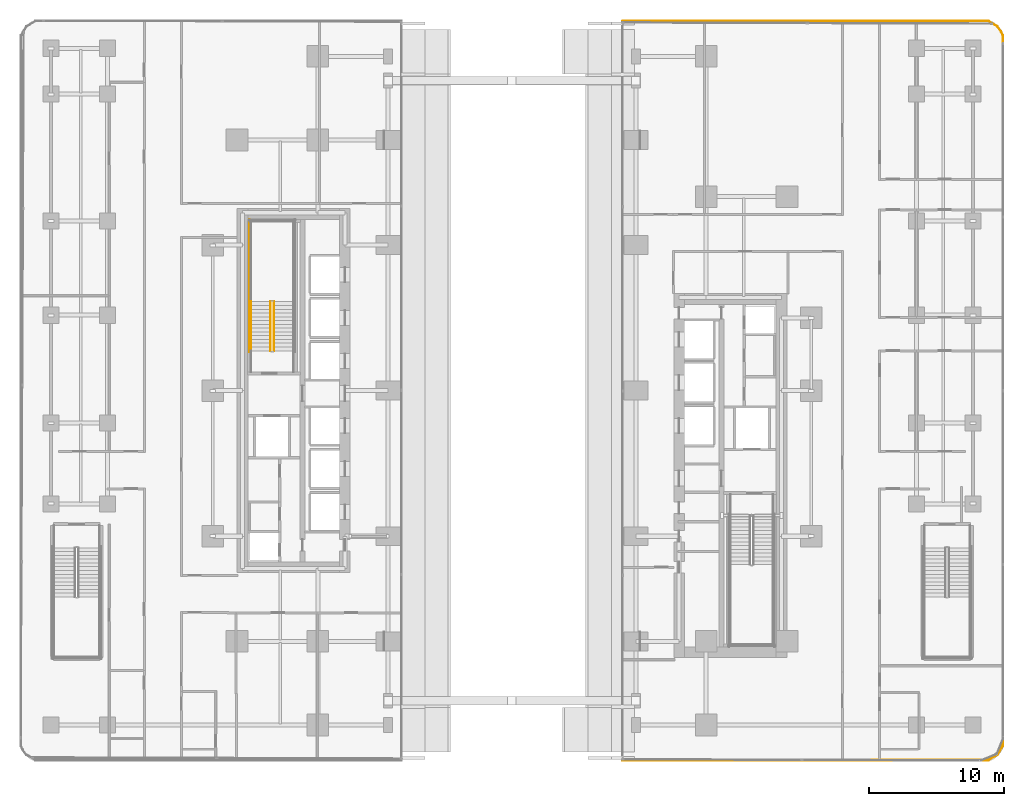
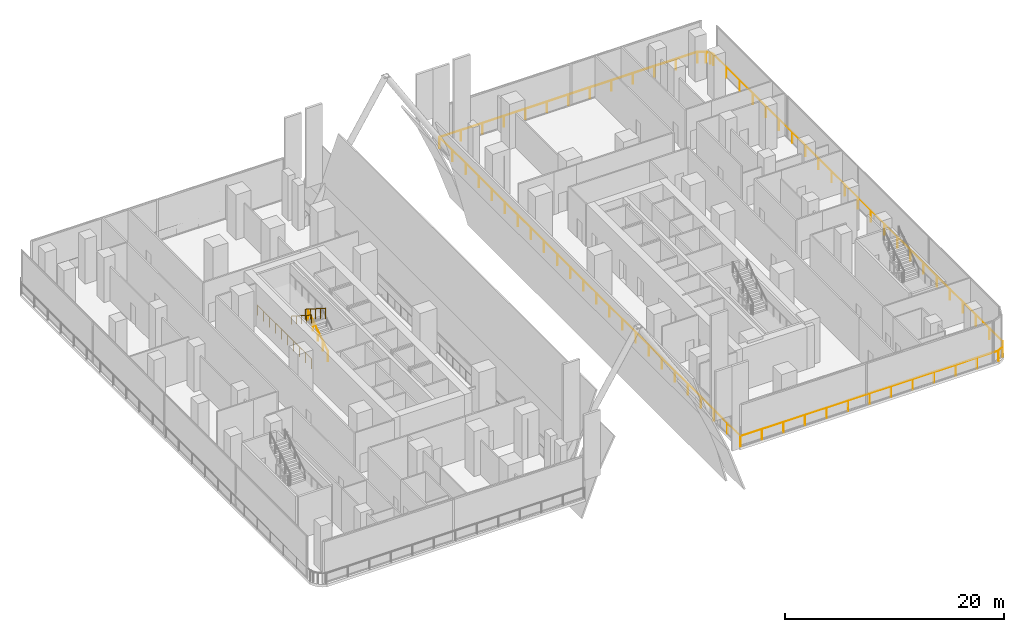
# One storey, part 28 of 31: 6 railings.
"""IFC4 building model written with IfcOpenShell, lengths in metres."""

import ifcopenshell
import ifcopenshell.guid

model = None  # the IFC model being written
_history = None  # IfcOwnerHistory: only IFC2X3 demands one
_inside = {}  # id of a spatial element -> (the spatial element, [elements in it])
_under = {}  # id of a project, library or spatial element -> (it, [spatial elements below it])
_declared = {}  # id of a project -> (the project, [libraries it declares])
_typed = {}  # id of a type object -> (the type object, [elements of that type])
_made_of = {}  # id of a material, layer set ... -> (it, [elements and type objects made of it])


def new_model(schema):
    """Start an empty IFC model of exactly this schema.

    Asked for "IFC4X3", IfcOpenShell would pick the latest addendum, in which some entities
    have other attributes; the version numbers below select the first issue.
    IFC2X3 requires an IfcOwnerHistory on every rooted entity: one is made here for all.
    """
    global model, _history
    if schema == "IFC4X3":
        model = ifcopenshell.file(schema_version=(4, 3, 0, 0))
    else:
        model = ifcopenshell.file(schema=schema)
    _inside.clear()
    _under.clear()
    _declared.clear()
    _typed.clear()
    _made_of.clear()
    _history = None
    if model.schema == "IFC2X3":
        org = make("IfcOrganization", Name="unknown")
        user = make(
            "IfcPersonAndOrganization",
            ThePerson=make("IfcPerson", FamilyName="unknown"),
            TheOrganization=org,
        )
        app = make(
            "IfcApplication",
            ApplicationDeveloper=org,
            Version="unknown",
            ApplicationFullName="unknown",
            ApplicationIdentifier="unknown",
        )
        _history = make(
            "IfcOwnerHistory",
            OwningUser=user,
            OwningApplication=app,
            ChangeAction="ADDED",
            CreationDate=0,
        )
    return model


def make(cls, **values):
    """One entity of the class cls with the attributes given. An attribute that is None is left unset."""
    return model.create_entity(
        cls, **{name: value for name, value in values.items() if value is not None}
    )


def rooted(cls, **values):
    """An entity with a GlobalId (a new one), such as an element, a storey or a relation."""
    return make(cls, GlobalId=ifcopenshell.guid.new(), OwnerHistory=_history, **values)


def si_unit(unit_type, name, prefix=None):
    """IfcSIUnit, for example si_unit("LENGTHUNIT", "METRE", prefix="MILLI")."""
    return make("IfcSIUnit", UnitType=unit_type, Prefix=prefix, Name=name)


def assignment(units):
    """IfcUnitAssignment: the units of a project."""
    return None if units is None else make("IfcUnitAssignment", Units=units)


def point(xyz):
    """IfcCartesianPoint."""
    return None if xyz is None else make("IfcCartesianPoint", Coordinates=xyz)


def direction(xyz):
    """IfcDirection."""
    return None if xyz is None else make("IfcDirection", DirectionRatios=xyz)


def frame(location, z_axis=None, x_axis=None):
    """IfcAxis2Placement3D, a coordinate frame: its origin and axes. An axis left out is left unset."""
    return make(
        "IfcAxis2Placement3D",
        Location=point(location),
        Axis=direction(z_axis),
        RefDirection=direction(x_axis),
    )


def frame_2d(location, x_axis=None):
    """IfcAxis2Placement2D, a coordinate frame in the plane: its origin and x axis."""
    return make(
        "IfcAxis2Placement2D", Location=point(location), RefDirection=direction(x_axis)
    )


def origin():
    """The frame at (0, 0, 0) with its axes left unset."""
    return frame((0.0, 0.0, 0.0))


def origin_2d():
    """The frame at (0, 0) in the plane with its x axis left unset."""
    return frame_2d((0.0, 0.0))


def place(relative_to, where):
    """IfcLocalPlacement: puts the frame where relative to a parent placement (None: the world)."""
    return make(
        "IfcLocalPlacement", PlacementRelTo=relative_to, RelativePlacement=where
    )


def context(
    kind, dimensions, precision=None, world=None, true_north=None, identifier=None
):
    """IfcGeometricRepresentationContext, for example the 3D "Model" context."""
    return make(
        "IfcGeometricRepresentationContext",
        ContextIdentifier=identifier,
        ContextType=kind,
        CoordinateSpaceDimension=dimensions,
        Precision=precision,
        WorldCoordinateSystem=world,
        TrueNorth=true_north,
    )


def subcontext(parent, identifier, kind, view, scale=None):
    """IfcGeometricRepresentationSubContext, for example "Body" below "Model"."""
    return make(
        "IfcGeometricRepresentationSubContext",
        ContextIdentifier=identifier,
        ContextType=kind,
        ParentContext=parent,
        TargetScale=scale,
        TargetView=view,
    )


def project(units=None, contexts=None):
    """IfcProject with its units and contexts."""
    return rooted(
        "IfcProject",
        Name="project",
        RepresentationContexts=contexts,
        UnitsInContext=assignment(units),
    )


def spatial(cls, under=None, at=None, **own):
    """A site, building, storey or space (cls), placed at a placement, below another one or the project."""
    s = rooted(cls, ObjectPlacement=at, **own)
    if under is not None:
        _under.setdefault(under.id(), (under, []))[1].append(s)
    return s


def profile(cls, at=None, kind="AREA", **sizes):
    """A parametric profile (cls). Its sizes go by their IFC names, for example OverallWidth=200.0."""
    return make(cls, ProfileType=kind, Position=at, **sizes)


def circle(**sizes):
    """IfcCircleProfileDef."""
    return profile("IfcCircleProfileDef", **sizes)


def extrude(swept, where, along, depth):
    """IfcExtrudedAreaSolid: the profile swept, set in the frame where, extruded along a direction by depth."""
    return make(
        "IfcExtrudedAreaSolid",
        SweptArea=swept,
        Position=where,
        ExtrudedDirection=direction(along),
        Depth=depth,
    )


def shape(context_of_items, identifier, shape_type, items):
    """IfcShapeRepresentation: the items that make up one representation, for example the "Body"."""
    return make(
        "IfcShapeRepresentation",
        ContextOfItems=context_of_items,
        RepresentationIdentifier=identifier,
        RepresentationType=shape_type,
        Items=items,
    )


def material(Name=None, Category=None):
    """IfcMaterial."""
    return make("IfcMaterial", Name=Name, Category=Category)


def made_of(thing, what):
    """Note that an element or type object is made of a material, layer set ...; save() writes the relation."""
    if what is not None:
        _made_of.setdefault(what.id(), (what, []))[1].append(thing)
    return thing


def type_object(cls, material=None, **own):
    """A type object (cls), such as IfcWallType, which elements share."""
    return made_of(rooted(cls, **own), material)


def element(
    cls,
    number,
    at=None,
    inside=None,
    cuts=None,
    type_object=None,
    material=None,
    context=None,
    identifier="Body",
    shape_type=None,
    held_by="IfcProductDefinitionShape",
    body=None,
    shapes=None,
    **own,
):
    """One element of the class cls, such as IfcWall. Its Tag is "e" and its number.

    at: its placement. inside: the storey or other place that contains it. cuts: it is an
    opening in that element (IfcRelVoidsElement). A single representation is given by context,
    identifier, shape_type and body (its items); several are given by shapes. held_by: the class
    of the entity that holds the representations. save() writes the other relations.
    """
    e = rooted(cls, Tag="e%d" % number, ObjectPlacement=at, **own)
    if body is not None:
        shapes = [shape(context, identifier, shape_type, body)]
    if shapes is not None:
        e.Representation = make(held_by, Representations=shapes)
    if inside is not None:
        _inside.setdefault(inside.id(), (inside, []))[1].append(e)
    if cuts is not None:
        rooted(
            "IfcRelVoidsElement", RelatingBuildingElement=cuts, RelatedOpeningElement=e
        )
    if type_object is not None:
        _typed.setdefault(type_object.id(), (type_object, []))[1].append(e)
    return made_of(e, material)


def aggregate(whole, parts):
    """IfcRelAggregates: a whole, such as a stair, and the parts it consists of."""
    return rooted("IfcRelAggregates", RelatingObject=whole, RelatedObjects=parts)


def save(model, path):
    """Write the relations noted so far, then the file.

    IfcRelAggregates (storeys below a building ...), IfcRelContainedInSpatialStructure (elements
    in a storey), IfcRelDefinesByType, IfcRelAssociatesMaterial and IfcRelDeclares: one each for
    every whole, place, type object, material and project.
    """
    for whole, parts in _under.values():
        aggregate(whole, parts)
    for where, things in _inside.values():
        rooted(
            "IfcRelContainedInSpatialStructure",
            RelatedElements=things,
            RelatingStructure=where,
        )
    for kind, things in _typed.values():
        rooted("IfcRelDefinesByType", RelatedObjects=things, RelatingType=kind)
    for what, things in _made_of.values():
        rooted("IfcRelAssociatesMaterial", RelatedObjects=things, RelatingMaterial=what)
    for by, libraries in _declared.values():
        rooted("IfcRelDeclares", RelatingContext=by, RelatedDefinitions=libraries)
    model.write(path)


model = new_model("IFC4")

# Units and contexts
model_context = context("Model", 3, precision=1e-05, world=origin(), true_north=direction((0.0, 1.0)))
body_context = subcontext(model_context, "Body", "Model", "MODEL_VIEW")
ifc_project = project(units=[si_unit("LENGTHUNIT", "METRE"), si_unit("AREAUNIT", "SQUARE_METRE"), si_unit("VOLUMEUNIT", "CUBIC_METRE"), si_unit("PLANEANGLEUNIT", "RADIAN"), si_unit("MASSUNIT", "GRAM", prefix="KILO")], contexts=[model_context])

# Site, building, storey
site_placement = place(None, origin())
site = spatial("IfcSite", under=ifc_project, at=site_placement, CompositionType="ELEMENT")
building_placement = place(site_placement, origin())
building = spatial("IfcBuilding", under=site, at=building_placement, Name="Khairoan Windgate Tower", CompositionType="ELEMENT")
storey_placement = place(building_placement, frame((0.0, 0.0, 6.0)))
storey = spatial("IfcBuildingStorey", under=building, at=storey_placement, Name="L02", CompositionType="ELEMENT", Elevation=6.0)

# Railings
ifc_material_1 = material(Name="Anodised Bronze Aluminium 6063-T6", Category="aluminium")
railing_type_1 = type_object("IfcRailingType", Name="Aerodynamic Bronze-and-Glass Balustrade BAL-1200", PredefinedType="BALUSTRADE", material=ifc_material_1)
railing_1_placement = place(storey_placement, frame((36.406982421875, -26.36474609375, 0.0)))
element("IfcRailing", 1, at=railing_1_placement, inside=storey, type_object=railing_type_1, Name="L02 E Wing Perimeter Edge Guardrail (1)", PredefinedType="BALUSTRADE", context=body_context, shape_type="SweptSolid", body=[
    extrude(circle(Radius=0.02392578125, at=origin_2d()), frame((0.0, 0.0, 1.17578125), z_axis=(-0.515299177597, -0.857010360245, 0.0), x_axis=(0.857010360245, -0.515299177597, 0.0)), (0.0, 0.0, 1.0), 0.759521484375),
    extrude(circle(Radius=0.02392578125, at=origin_2d()), frame((-0.391357421875, -0.65087890625, 1.17578125), z_axis=(-0.856915629106, -0.515456695169, 0.0), x_axis=(0.515456695169, -0.856915629106, 0.0)), (0.0, 0.0, 1.0), 0.784423828125),
    extrude(circle(Radius=0.02392578125, at=origin_2d()), frame((-1.0634765625, -1.05517578125, 1.17578125), z_axis=(-1.0, 0.0, 0.0), x_axis=(0.0, -1.0, 0.0)), (0.0, 0.0, 1.0), 27.1435546875),
    extrude(circle(Radius=0.02392578125, at=origin_2d()), frame((-28.20703125, -1.05517578125, 1.17578125), z_axis=(0.0, 1.0, 0.0), x_axis=(-1.0, 0.0, 0.0)), (0.0, 0.0, 1.0), 54.81494140625),
    extrude(circle(Radius=0.02099609375, at=origin_2d()), origin(), (0.0, 0.0, 1.0), 1.15185546875),
    extrude(circle(Radius=0.02099609375, at=origin_2d()), frame((-0.391357421875, -0.65087890625, 0.0)), (0.0, 0.0, 1.0), 1.15185546875),
    extrude(circle(Radius=0.02099609375, at=origin_2d()), frame((-1.0634765625, -1.05517578125, 0.0)), (0.0, 0.0, 1.0), 1.15185546875),
    extrude(circle(Radius=0.02099609375, at=origin_2d()), frame((-3.325439453125, -1.05517578125, 0.0)), (0.0, 0.0, 1.0), 1.15185546875),
    extrude(circle(Radius=0.02099609375, at=origin_2d()), frame((-5.58740234375, -1.05517578125, 0.0)), (0.0, 0.0, 1.0), 1.15185546875),
    extrude(circle(Radius=0.02099609375, at=origin_2d()), frame((-7.849365234375, -1.05517578125, 0.0)), (0.0, 0.0, 1.0), 1.15185546875),
    extrude(circle(Radius=0.02099609375, at=origin_2d()), frame((-10.111328125, -1.05517578125, 0.0)), (0.0, 0.0, 1.0), 1.15185546875),
    extrude(circle(Radius=0.02099609375, at=origin_2d()), frame((-12.373291015625, -1.05517578125, 0.0)), (0.0, 0.0, 1.0), 1.15185546875),
    extrude(circle(Radius=0.02099609375, at=origin_2d()), frame((-14.63525390625, -1.05517578125, 0.0)), (0.0, 0.0, 1.0), 1.15185546875),
    extrude(circle(Radius=0.02099609375, at=origin_2d()), frame((-16.897216796875, -1.05517578125, 0.0)), (0.0, 0.0, 1.0), 1.15185546875),
    extrude(circle(Radius=0.02099609375, at=origin_2d()), frame((-19.1591796875, -1.05517578125, 0.0)), (0.0, 0.0, 1.0), 1.15185546875),
    extrude(circle(Radius=0.02099609375, at=origin_2d()), frame((-21.421142578125, -1.05517578125, 0.0)), (0.0, 0.0, 1.0), 1.15185546875),
    extrude(circle(Radius=0.02099609375, at=origin_2d()), frame((-23.68310546875, -1.05517578125, 0.0)), (0.0, 0.0, 1.0), 1.15185546875),
    extrude(circle(Radius=0.02099609375, at=origin_2d()), frame((-25.945068359375, -1.05517578125, 0.0)), (0.0, 0.0, 1.0), 1.15185546875),
    extrude(circle(Radius=0.02099609375, at=origin_2d()), frame((-28.20703125, -1.05517578125, 0.0)), (0.0, 0.0, 1.0), 1.15185546875),
    extrude(circle(Radius=0.02099609375, at=origin_2d()), frame((-28.20703125, 1.328125, 0.0)), (0.0, 0.0, 1.0), 1.15185546875),
    extrude(circle(Radius=0.02099609375, at=origin_2d()), frame((-28.20703125, 3.71142578125, 0.0)), (0.0, 0.0, 1.0), 1.15185546875),
    extrude(circle(Radius=0.02099609375, at=origin_2d()), frame((-28.20703125, 6.094482421875, 0.0)), (0.0, 0.0, 1.0), 1.15185546875),
    extrude(circle(Radius=0.02099609375, at=origin_2d()), frame((-28.20703125, 8.477783203125, 0.0)), (0.0, 0.0, 1.0), 1.15185546875),
    extrude(circle(Radius=0.02099609375, at=origin_2d()), frame((-28.20703125, 10.861083984375, 0.0)), (0.0, 0.0, 1.0), 1.15185546875),
    extrude(circle(Radius=0.02099609375, at=origin_2d()), frame((-28.20703125, 13.244384765625, 0.0)), (0.0, 0.0, 1.0), 1.15185546875),
    extrude(circle(Radius=0.02099609375, at=origin_2d()), frame((-28.20703125, 15.627685546875, 0.0)), (0.0, 0.0, 1.0), 1.15185546875),
    extrude(circle(Radius=0.02099609375, at=origin_2d()), frame((-28.20703125, 18.010986328125, 0.0)), (0.0, 0.0, 1.0), 1.15185546875),
    extrude(circle(Radius=0.02099609375, at=origin_2d()), frame((-28.20703125, 20.39404296875, 0.0)), (0.0, 0.0, 1.0), 1.15185546875),
    extrude(circle(Radius=0.02099609375, at=origin_2d()), frame((-28.20703125, 22.77734375, 0.0)), (0.0, 0.0, 1.0), 1.15185546875),
    extrude(circle(Radius=0.02099609375, at=origin_2d()), frame((-28.20703125, 25.16064453125, 0.0)), (0.0, 0.0, 1.0), 1.15185546875),
    extrude(circle(Radius=0.02099609375, at=origin_2d()), frame((-28.20703125, 27.5439453125, 0.0)), (0.0, 0.0, 1.0), 1.15185546875),
    extrude(circle(Radius=0.02099609375, at=origin_2d()), frame((-28.20703125, 29.92724609375, 0.0)), (0.0, 0.0, 1.0), 1.15185546875),
    extrude(circle(Radius=0.02099609375, at=origin_2d()), frame((-28.20703125, 32.310546875, 0.0)), (0.0, 0.0, 1.0), 1.15185546875),
    extrude(circle(Radius=0.02099609375, at=origin_2d()), frame((-28.20703125, 34.693603515625, 0.0)), (0.0, 0.0, 1.0), 1.15185546875),
    extrude(circle(Radius=0.02099609375, at=origin_2d()), frame((-28.20703125, 37.076904296875, 0.0)), (0.0, 0.0, 1.0), 1.15185546875),
    extrude(circle(Radius=0.02099609375, at=origin_2d()), frame((-28.20703125, 39.460205078125, 0.0)), (0.0, 0.0, 1.0), 1.15185546875),
    extrude(circle(Radius=0.02099609375, at=origin_2d()), frame((-28.20703125, 41.843505859375, 0.0)), (0.0, 0.0, 1.0), 1.15185546875),
    extrude(circle(Radius=0.02099609375, at=origin_2d()), frame((-28.20703125, 44.226806640625, 0.0)), (0.0, 0.0, 1.0), 1.15185546875),
    extrude(circle(Radius=0.02099609375, at=origin_2d()), frame((-28.20703125, 46.610107421875, 0.0)), (0.0, 0.0, 1.0), 1.15185546875),
    extrude(circle(Radius=0.02099609375, at=origin_2d()), frame((-28.20703125, 48.9931640625, 0.0)), (0.0, 0.0, 1.0), 1.15185546875),
    extrude(circle(Radius=0.02099609375, at=origin_2d()), frame((-28.20703125, 51.37646484375, 0.0)), (0.0, 0.0, 1.0), 1.15185546875),
    extrude(circle(Radius=0.02099609375, at=origin_2d()), frame((-28.20703125, 53.759765625, 0.0)), (0.0, 0.0, 1.0), 1.15185546875),
])
railing_2_placement = place(storey_placement, frame((8.22509765625, 27.419921875, 0.0)))
element("IfcRailing", 2, at=railing_2_placement, inside=storey, type_object=railing_type_1, Name="L02 E Wing Perimeter Edge Guardrail (2)", PredefinedType="BALUSTRADE", context=body_context, shape_type="SweptSolid", body=[
    extrude(circle(Radius=0.02392578125, at=origin_2d()), frame((0.0, 0.0, 1.17578125), z_axis=(1.0, 0.0, 0.0), x_axis=(0.0, 1.0, 0.0)), (0.0, 0.0, 1.0), 27.118408203125),
    extrude(circle(Radius=0.02392578125, at=origin_2d()), frame((27.118408203125, 0.0, 1.17578125), z_axis=(0.856915629106, -0.515456695169, 0.0), x_axis=(0.515456695169, 0.856915629106, 0.0)), (0.0, 0.0, 1.0), 0.784423828125),
    extrude(circle(Radius=0.02392578125, at=origin_2d()), frame((27.79052734375, -0.404296875, 1.17578125), z_axis=(0.608842674685, -0.793290991681, 0.0), x_axis=(0.793290991681, 0.608842674685, 0.0)), (0.0, 0.0, 1.0), 0.44873046875),
    extrude(circle(Radius=0.02392578125, at=origin_2d()), frame((28.063720703125, -0.76025390625, 1.17578125), z_axis=(0.383044713365, -0.923729802249, 0.0), x_axis=(0.923729802249, 0.383044713365, 0.0)), (0.0, 0.0, 1.0), 0.34228515625),
    extrude(circle(Radius=0.02392578125, at=origin_2d()), frame((28.19482421875, -1.076416015625, 1.17578125), z_axis=(0.0, -1.0, 0.0), x_axis=(1.0, 0.0, 0.0)), (0.0, 0.0, 1.0), 52.661865234375),
    extrude(circle(Radius=0.02099609375, at=origin_2d()), origin(), (0.0, 0.0, 1.0), 1.15185546875),
    extrude(circle(Radius=0.02099609375, at=origin_2d()), frame((2.259765625, 0.0, 0.0)), (0.0, 0.0, 1.0), 1.15185546875),
    extrude(circle(Radius=0.02099609375, at=origin_2d()), frame((4.519775390625, 0.0, 0.0)), (0.0, 0.0, 1.0), 1.15185546875),
    extrude(circle(Radius=0.02099609375, at=origin_2d()), frame((6.779541015625, 0.0, 0.0)), (0.0, 0.0, 1.0), 1.15185546875),
    extrude(circle(Radius=0.02099609375, at=origin_2d()), frame((9.03955078125, 0.0, 0.0)), (0.0, 0.0, 1.0), 1.15185546875),
    extrude(circle(Radius=0.02099609375, at=origin_2d()), frame((11.29931640625, 0.0, 0.0)), (0.0, 0.0, 1.0), 1.15185546875),
    extrude(circle(Radius=0.02099609375, at=origin_2d()), frame((13.55908203125, 0.0, 0.0)), (0.0, 0.0, 1.0), 1.15185546875),
    extrude(circle(Radius=0.02099609375, at=origin_2d()), frame((15.819091796875, 0.0, 0.0)), (0.0, 0.0, 1.0), 1.15185546875),
    extrude(circle(Radius=0.02099609375, at=origin_2d()), frame((18.078857421875, 0.0, 0.0)), (0.0, 0.0, 1.0), 1.15185546875),
    extrude(circle(Radius=0.02099609375, at=origin_2d()), frame((20.3388671875, 0.0, 0.0)), (0.0, 0.0, 1.0), 1.15185546875),
    extrude(circle(Radius=0.02099609375, at=origin_2d()), frame((22.5986328125, 0.0, 0.0)), (0.0, 0.0, 1.0), 1.15185546875),
    extrude(circle(Radius=0.02099609375, at=origin_2d()), frame((24.858642578125, 0.0, 0.0)), (0.0, 0.0, 1.0), 1.15185546875),
    extrude(circle(Radius=0.02099609375, at=origin_2d()), frame((27.118408203125, 0.0, 0.0)), (0.0, 0.0, 1.0), 1.15185546875),
    extrude(circle(Radius=0.02099609375, at=origin_2d()), frame((27.79052734375, -0.404296875, 0.0)), (0.0, 0.0, 1.0), 1.15185546875),
    extrude(circle(Radius=0.02099609375, at=origin_2d()), frame((28.063720703125, -0.76025390625, 0.0)), (0.0, 0.0, 1.0), 1.15185546875),
    extrude(circle(Radius=0.02099609375, at=origin_2d()), frame((28.19482421875, -1.076416015625, 0.0)), (0.0, 0.0, 1.0), 1.15185546875),
    extrude(circle(Radius=0.02099609375, at=origin_2d()), frame((28.19482421875, -3.47021484375, 0.0)), (0.0, 0.0, 1.0), 1.15185546875),
    extrude(circle(Radius=0.02099609375, at=origin_2d()), frame((28.19482421875, -5.86376953125, 0.0)), (0.0, 0.0, 1.0), 1.15185546875),
    extrude(circle(Radius=0.02099609375, at=origin_2d()), frame((28.19482421875, -8.257568359375, 0.0)), (0.0, 0.0, 1.0), 1.15185546875),
    extrude(circle(Radius=0.02099609375, at=origin_2d()), frame((28.19482421875, -10.6513671875, 0.0)), (0.0, 0.0, 1.0), 1.15185546875),
    extrude(circle(Radius=0.02099609375, at=origin_2d()), frame((28.19482421875, -13.044921875, 0.0)), (0.0, 0.0, 1.0), 1.15185546875),
    extrude(circle(Radius=0.02099609375, at=origin_2d()), frame((28.19482421875, -15.438720703125, 0.0)), (0.0, 0.0, 1.0), 1.15185546875),
    extrude(circle(Radius=0.02099609375, at=origin_2d()), frame((28.19482421875, -17.83251953125, 0.0)), (0.0, 0.0, 1.0), 1.15185546875),
    extrude(circle(Radius=0.02099609375, at=origin_2d()), frame((28.19482421875, -20.22607421875, 0.0)), (0.0, 0.0, 1.0), 1.15185546875),
    extrude(circle(Radius=0.02099609375, at=origin_2d()), frame((28.19482421875, -22.619873046875, 0.0)), (0.0, 0.0, 1.0), 1.15185546875),
    extrude(circle(Radius=0.02099609375, at=origin_2d()), frame((28.19482421875, -25.013671875, 0.0)), (0.0, 0.0, 1.0), 1.15185546875),
    extrude(circle(Radius=0.02099609375, at=origin_2d()), frame((28.19482421875, -27.4072265625, 0.0)), (0.0, 0.0, 1.0), 1.15185546875),
    extrude(circle(Radius=0.02099609375, at=origin_2d()), frame((28.19482421875, -29.801025390625, 0.0)), (0.0, 0.0, 1.0), 1.15185546875),
    extrude(circle(Radius=0.02099609375, at=origin_2d()), frame((28.19482421875, -32.19482421875, 0.0)), (0.0, 0.0, 1.0), 1.15185546875),
    extrude(circle(Radius=0.02099609375, at=origin_2d()), frame((28.19482421875, -34.588623046875, 0.0)), (0.0, 0.0, 1.0), 1.15185546875),
    extrude(circle(Radius=0.02099609375, at=origin_2d()), frame((28.19482421875, -36.982177734375, 0.0)), (0.0, 0.0, 1.0), 1.15185546875),
    extrude(circle(Radius=0.02099609375, at=origin_2d()), frame((28.19482421875, -39.3759765625, 0.0)), (0.0, 0.0, 1.0), 1.15185546875),
    extrude(circle(Radius=0.02099609375, at=origin_2d()), frame((28.19482421875, -41.769775390625, 0.0)), (0.0, 0.0, 1.0), 1.15185546875),
    extrude(circle(Radius=0.02099609375, at=origin_2d()), frame((28.19482421875, -44.163330078125, 0.0)), (0.0, 0.0, 1.0), 1.15185546875),
    extrude(circle(Radius=0.02099609375, at=origin_2d()), frame((28.19482421875, -46.55712890625, 0.0)), (0.0, 0.0, 1.0), 1.15185546875),
    extrude(circle(Radius=0.02099609375, at=origin_2d()), frame((28.19482421875, -48.950927734375, 0.0)), (0.0, 0.0, 1.0), 1.15185546875),
    extrude(circle(Radius=0.02099609375, at=origin_2d()), frame((28.19482421875, -51.344482421875, 0.0)), (0.0, 0.0, 1.0), 1.15185546875),
    extrude(circle(Radius=0.02099609375, at=origin_2d()), frame((28.19482421875, -53.73828125, 0.0)), (0.0, 0.0, 1.0), 1.15185546875),
])
ifc_material_2 = material(Name="Anodised Bronze Aluminium 6063-T6", Category="aluminium")
railing_type_2 = type_object("IfcRailingType", Name="Stair Wall Handrail SHR-900", PredefinedType="HANDRAIL", material=ifc_material_2)
railing_3_placement = place(storey_placement, frame((-19.3701171875, 6.60009765625, 2.678466796875)))
element("IfcRailing", 3, at=railing_3_placement, inside=storey, type_object=railing_type_2, Name="L02 ST2 stair handrail 2", PredefinedType="HANDRAIL", context=body_context, shape_type="SweptSolid", body=[
    extrude(circle(Radius=0.02392578125, at=origin_2d()), frame((0.0, 0.0, 0.8759765625), z_axis=(0.0, -0.843127859045, 0.537713132908), x_axis=(1.0, 0.0, 0.0)), (0.0, 0.0, 1.0), 4.3173828125),
    extrude(circle(Radius=0.02099609375, at=origin_2d()), origin(), (0.0, 0.0, 1.0), 0.851806640625),
    extrude(circle(Radius=0.02099609375, at=origin_2d()), frame((0.0, -0.91015625, 0.580322265625)), (0.0, 0.0, 1.0), 0.851806640625),
    extrude(circle(Radius=0.02099609375, at=origin_2d()), frame((0.0, -1.820068359375, 1.16064453125)), (0.0, 0.0, 1.0), 0.851806640625),
    extrude(circle(Radius=0.02099609375, at=origin_2d()), frame((0.0, -2.72998046875, 1.7412109375)), (0.0, 0.0, 1.0), 0.851806640625),
    extrude(circle(Radius=0.02099609375, at=origin_2d()), frame((0.0, -3.64013671875, 2.321533203125)), (0.0, 0.0, 1.0), 0.851806640625),
])
ifc_material_3 = material(Name="Steel S355", Category="steel")
railing_type_3 = type_object("IfcRailingType", Name="Stairwell Safety Guardrail SGR-1150", PredefinedType="GUARDRAIL", material=ifc_material_3)
railing_4_placement = place(storey_placement, frame((-17.659912109375, 2.9599609375, 0.178466796875)))
element("IfcRailing", 4, at=railing_4_placement, inside=storey, type_object=railing_type_3, Name="L02 ST2 stair guard 1", PredefinedType="GUARDRAIL", context=body_context, shape_type="SweptSolid", body=[
    extrude(circle(Radius=0.02392578125, at=origin_2d()), frame((0.0, 0.0, 1.1259765625), z_axis=(0.0, 0.843127859045, 0.537713132908), x_axis=(-1.0, 0.0, 0.0)), (0.0, 0.0, 1.0), 4.3173828125),
    extrude(circle(Radius=0.02099609375, at=origin_2d()), origin(), (0.0, 0.0, 1.0), 1.101806640625),
    extrude(circle(Radius=0.02099609375, at=origin_2d()), frame((0.0, 0.91015625, 0.580322265625)), (0.0, 0.0, 1.0), 1.101806640625),
    extrude(circle(Radius=0.02099609375, at=origin_2d()), frame((0.0, 1.820068359375, 1.16064453125)), (0.0, 0.0, 1.0), 1.101806640625),
    extrude(circle(Radius=0.02099609375, at=origin_2d()), frame((0.0, 2.72998046875, 1.7412109375)), (0.0, 0.0, 1.0), 1.101806640625),
    extrude(circle(Radius=0.02099609375, at=origin_2d()), frame((0.0, 3.64013671875, 2.321533203125)), (0.0, 0.0, 1.0), 1.101806640625),
])
railing_5_placement = place(storey_placement, frame((-17.909912109375, 6.60009765625, 2.678466796875)))
element("IfcRailing", 5, at=railing_5_placement, inside=storey, type_object=railing_type_3, Name="L02 ST2 stair guard 6", PredefinedType="GUARDRAIL", context=body_context, shape_type="SweptSolid", body=[
    extrude(circle(Radius=0.02392578125, at=origin_2d()), frame((0.0, 0.0, 1.1259765625), z_axis=(0.0, -0.843127859045, 0.537713132908), x_axis=(1.0, 0.0, 0.0)), (0.0, 0.0, 1.0), 4.3173828125),
    extrude(circle(Radius=0.02099609375, at=origin_2d()), origin(), (0.0, 0.0, 1.0), 1.101806640625),
    extrude(circle(Radius=0.02099609375, at=origin_2d()), frame((0.0, -0.91015625, 0.580322265625)), (0.0, 0.0, 1.0), 1.101806640625),
    extrude(circle(Radius=0.02099609375, at=origin_2d()), frame((0.0, -1.820068359375, 1.16064453125)), (0.0, 0.0, 1.0), 1.101806640625),
    extrude(circle(Radius=0.02099609375, at=origin_2d()), frame((0.0, -2.72998046875, 1.7412109375)), (0.0, 0.0, 1.0), 1.101806640625),
    extrude(circle(Radius=0.02099609375, at=origin_2d()), frame((0.0, -3.64013671875, 2.321533203125)), (0.0, 0.0, 1.0), 1.101806640625),
])
railing_6_placement = place(storey_placement, frame((-19.469970703125, 2.860107421875, 0.0)))
element("IfcRailing", 6, at=railing_6_placement, inside=storey, type_object=railing_type_3, Name="L02 ST2 stair guard 11", PredefinedType="GUARDRAIL", context=body_context, shape_type="SweptSolid", body=[
    extrude(circle(Radius=0.02392578125, at=origin_2d()), frame((0.0, 0.0, 1.1259765625), z_axis=(0.0, 1.0, 0.0), x_axis=(-1.0, 0.0, 0.0)), (0.0, 0.0, 1.0), 9.83984375),
    extrude(circle(Radius=0.02099609375, at=origin_2d()), origin(), (0.0, 0.0, 1.0), 1.101806640625),
    extrude(circle(Radius=0.02099609375, at=origin_2d()), frame((0.0, 1.09326171875, 0.0)), (0.0, 0.0, 1.0), 1.101806640625),
    extrude(circle(Radius=0.02099609375, at=origin_2d()), frame((0.0, 2.1865234375, 0.0)), (0.0, 0.0, 1.0), 1.101806640625),
    extrude(circle(Radius=0.02099609375, at=origin_2d()), frame((0.0, 3.280029296875, 0.0)), (0.0, 0.0, 1.0), 1.101806640625),
    extrude(circle(Radius=0.02099609375, at=origin_2d()), frame((0.0, 4.373291015625, 0.0)), (0.0, 0.0, 1.0), 1.101806640625),
    extrude(circle(Radius=0.02099609375, at=origin_2d()), frame((0.0, 5.466552734375, 0.0)), (0.0, 0.0, 1.0), 1.101806640625),
    extrude(circle(Radius=0.02099609375, at=origin_2d()), frame((0.0, 6.559814453125, 0.0)), (0.0, 0.0, 1.0), 1.101806640625),
    extrude(circle(Radius=0.02099609375, at=origin_2d()), frame((0.0, 7.6533203125, 0.0)), (0.0, 0.0, 1.0), 1.101806640625),
    extrude(circle(Radius=0.02099609375, at=origin_2d()), frame((0.0, 8.74658203125, 0.0)), (0.0, 0.0, 1.0), 1.101806640625),
    extrude(circle(Radius=0.02099609375, at=origin_2d()), frame((0.0, 9.83984375, 0.0)), (0.0, 0.0, 1.0), 1.101806640625),
])

save(model, "model.ifc")
